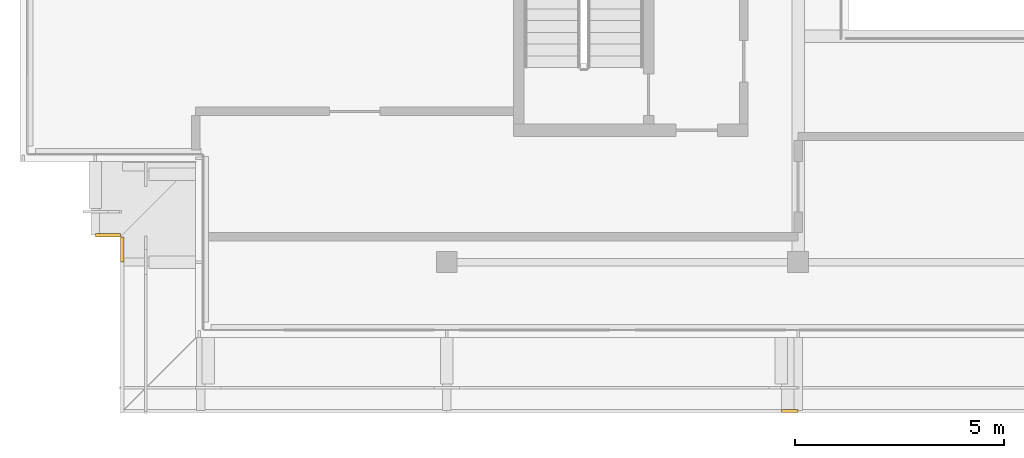
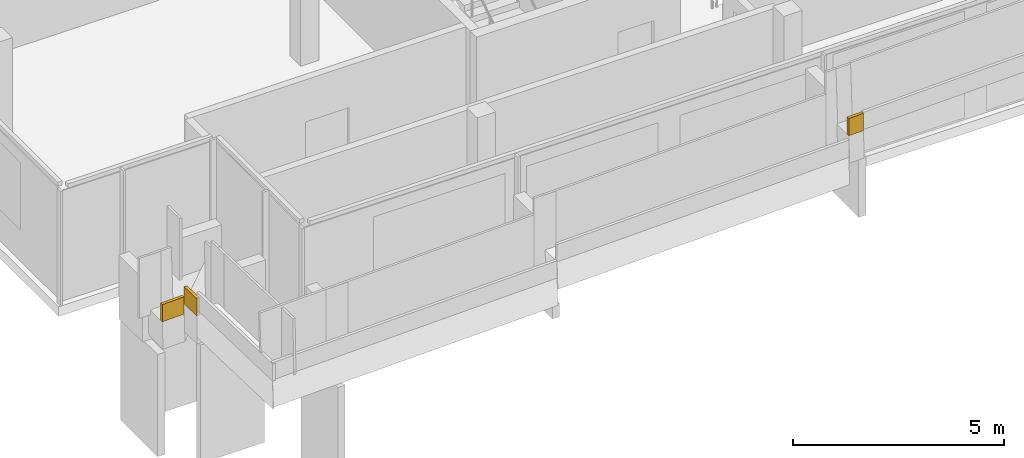
# One storey, part 21 of 22: 3 coverings.
"""IFC4 building model written with IfcOpenShell, lengths in metres."""

import ifcopenshell
import ifcopenshell.guid

model = None  # the IFC model being written
_history = None  # IfcOwnerHistory: only IFC2X3 demands one
_inside = {}  # id of a spatial element -> (the spatial element, [elements in it])
_under = {}  # id of a project, library or spatial element -> (it, [spatial elements below it])
_declared = {}  # id of a project -> (the project, [libraries it declares])
_typed = {}  # id of a type object -> (the type object, [elements of that type])
_made_of = {}  # id of a material, layer set ... -> (it, [elements and type objects made of it])


def new_model(schema):
    """Start an empty IFC model of exactly this schema.

    Asked for "IFC4X3", IfcOpenShell would pick the latest addendum, in which some entities
    have other attributes; the version numbers below select the first issue.
    IFC2X3 requires an IfcOwnerHistory on every rooted entity: one is made here for all.
    """
    global model, _history
    if schema == "IFC4X3":
        model = ifcopenshell.file(schema_version=(4, 3, 0, 0))
    else:
        model = ifcopenshell.file(schema=schema)
    _inside.clear()
    _under.clear()
    _declared.clear()
    _typed.clear()
    _made_of.clear()
    _history = None
    if model.schema == "IFC2X3":
        org = make("IfcOrganization", Name="unknown")
        user = make(
            "IfcPersonAndOrganization",
            ThePerson=make("IfcPerson", FamilyName="unknown"),
            TheOrganization=org,
        )
        app = make(
            "IfcApplication",
            ApplicationDeveloper=org,
            Version="unknown",
            ApplicationFullName="unknown",
            ApplicationIdentifier="unknown",
        )
        _history = make(
            "IfcOwnerHistory",
            OwningUser=user,
            OwningApplication=app,
            ChangeAction="ADDED",
            CreationDate=0,
        )
    return model


def make(cls, **values):
    """One entity of the class cls with the attributes given. An attribute that is None is left unset."""
    return model.create_entity(
        cls, **{name: value for name, value in values.items() if value is not None}
    )


def rooted(cls, **values):
    """An entity with a GlobalId (a new one), such as an element, a storey or a relation."""
    return make(cls, GlobalId=ifcopenshell.guid.new(), OwnerHistory=_history, **values)


def si_unit(unit_type, name, prefix=None):
    """IfcSIUnit, for example si_unit("LENGTHUNIT", "METRE", prefix="MILLI")."""
    return make("IfcSIUnit", UnitType=unit_type, Prefix=prefix, Name=name)


def assignment(units):
    """IfcUnitAssignment: the units of a project."""
    return None if units is None else make("IfcUnitAssignment", Units=units)


def point(xyz):
    """IfcCartesianPoint."""
    return None if xyz is None else make("IfcCartesianPoint", Coordinates=xyz)


def direction(xyz):
    """IfcDirection."""
    return None if xyz is None else make("IfcDirection", DirectionRatios=xyz)


def frame(location, z_axis=None, x_axis=None):
    """IfcAxis2Placement3D, a coordinate frame: its origin and axes. An axis left out is left unset."""
    return make(
        "IfcAxis2Placement3D",
        Location=point(location),
        Axis=direction(z_axis),
        RefDirection=direction(x_axis),
    )


def origin():
    """The frame at (0, 0, 0) with its axes left unset."""
    return frame((0.0, 0.0, 0.0))


def place(relative_to, where):
    """IfcLocalPlacement: puts the frame where relative to a parent placement (None: the world)."""
    return make(
        "IfcLocalPlacement", PlacementRelTo=relative_to, RelativePlacement=where
    )


def context(
    kind, dimensions, precision=None, world=None, true_north=None, identifier=None
):
    """IfcGeometricRepresentationContext, for example the 3D "Model" context."""
    return make(
        "IfcGeometricRepresentationContext",
        ContextIdentifier=identifier,
        ContextType=kind,
        CoordinateSpaceDimension=dimensions,
        Precision=precision,
        WorldCoordinateSystem=world,
        TrueNorth=true_north,
    )


def subcontext(parent, identifier, kind, view, scale=None):
    """IfcGeometricRepresentationSubContext, for example "Body" below "Model"."""
    return make(
        "IfcGeometricRepresentationSubContext",
        ContextIdentifier=identifier,
        ContextType=kind,
        ParentContext=parent,
        TargetScale=scale,
        TargetView=view,
    )


def project(units=None, contexts=None):
    """IfcProject with its units and contexts."""
    return rooted(
        "IfcProject",
        Name="project",
        RepresentationContexts=contexts,
        UnitsInContext=assignment(units),
    )


def spatial(cls, under=None, at=None, **own):
    """A site, building, storey or space (cls), placed at a placement, below another one or the project."""
    s = rooted(cls, ObjectPlacement=at, **own)
    if under is not None:
        _under.setdefault(under.id(), (under, []))[1].append(s)
    return s


def polyline(points):
    """IfcPolyline through the points."""
    return make("IfcPolyline", Points=[point(p) for p in points])


def outline(outer, holes=None, kind="AREA"):
    """IfcArbitraryClosedProfileDef: a profile drawn as a closed curve; with holes, ...WithVoids."""
    if holes is None:
        return make("IfcArbitraryClosedProfileDef", ProfileType=kind, OuterCurve=outer)
    return make(
        "IfcArbitraryProfileDefWithVoids",
        ProfileType=kind,
        OuterCurve=outer,
        InnerCurves=holes,
    )


def extrude(swept, where, along, depth):
    """IfcExtrudedAreaSolid: the profile swept, set in the frame where, extruded along a direction by depth."""
    return make(
        "IfcExtrudedAreaSolid",
        SweptArea=swept,
        Position=where,
        ExtrudedDirection=direction(along),
        Depth=depth,
    )


def shape(context_of_items, identifier, shape_type, items):
    """IfcShapeRepresentation: the items that make up one representation, for example the "Body"."""
    return make(
        "IfcShapeRepresentation",
        ContextOfItems=context_of_items,
        RepresentationIdentifier=identifier,
        RepresentationType=shape_type,
        Items=items,
    )


def material(Name=None, Category=None):
    """IfcMaterial."""
    return make("IfcMaterial", Name=Name, Category=Category)


def layer(
    of_material, thickness, ventilated=None, Name=None, Category=None, Priority=None
):
    """IfcMaterialLayer: one layer of a wall or slab, of a material (None: an air gap)."""
    return make(
        "IfcMaterialLayer",
        Material=of_material,
        LayerThickness=thickness,
        IsVentilated=ventilated,
        Name=Name,
        Category=Category,
        Priority=Priority,
    )


def layer_set(layers, Name=None):
    """IfcMaterialLayerSet."""
    return make("IfcMaterialLayerSet", MaterialLayers=layers, LayerSetName=Name)


def made_of(thing, what):
    """Note that an element or type object is made of a material, layer set ...; save() writes the relation."""
    if what is not None:
        _made_of.setdefault(what.id(), (what, []))[1].append(thing)
    return thing


def type_object(cls, material=None, **own):
    """A type object (cls), such as IfcWallType, which elements share."""
    return made_of(rooted(cls, **own), material)


def element(
    cls,
    number,
    at=None,
    inside=None,
    cuts=None,
    type_object=None,
    material=None,
    context=None,
    identifier="Body",
    shape_type=None,
    held_by="IfcProductDefinitionShape",
    body=None,
    shapes=None,
    **own,
):
    """One element of the class cls, such as IfcWall. Its Tag is "e" and its number.

    at: its placement. inside: the storey or other place that contains it. cuts: it is an
    opening in that element (IfcRelVoidsElement). A single representation is given by context,
    identifier, shape_type and body (its items); several are given by shapes. held_by: the class
    of the entity that holds the representations. save() writes the other relations.
    """
    e = rooted(cls, Tag="e%d" % number, ObjectPlacement=at, **own)
    if body is not None:
        shapes = [shape(context, identifier, shape_type, body)]
    if shapes is not None:
        e.Representation = make(held_by, Representations=shapes)
    if inside is not None:
        _inside.setdefault(inside.id(), (inside, []))[1].append(e)
    if cuts is not None:
        rooted(
            "IfcRelVoidsElement", RelatingBuildingElement=cuts, RelatedOpeningElement=e
        )
    if type_object is not None:
        _typed.setdefault(type_object.id(), (type_object, []))[1].append(e)
    return made_of(e, material)


def aggregate(whole, parts):
    """IfcRelAggregates: a whole, such as a stair, and the parts it consists of."""
    return rooted("IfcRelAggregates", RelatingObject=whole, RelatedObjects=parts)


def save(model, path):
    """Write the relations noted so far, then the file.

    IfcRelAggregates (storeys below a building ...), IfcRelContainedInSpatialStructure (elements
    in a storey), IfcRelDefinesByType, IfcRelAssociatesMaterial and IfcRelDeclares: one each for
    every whole, place, type object, material and project.
    """
    for whole, parts in _under.values():
        aggregate(whole, parts)
    for where, things in _inside.values():
        rooted(
            "IfcRelContainedInSpatialStructure",
            RelatedElements=things,
            RelatingStructure=where,
        )
    for kind, things in _typed.values():
        rooted("IfcRelDefinesByType", RelatedObjects=things, RelatingType=kind)
    for what, things in _made_of.values():
        rooted("IfcRelAssociatesMaterial", RelatedObjects=things, RelatingMaterial=what)
    for by, libraries in _declared.values():
        rooted("IfcRelDeclares", RelatingContext=by, RelatedDefinitions=libraries)
    model.write(path)


model = new_model("IFC4")

# Units and contexts
model_context = context("Model", 3, precision=1e-05, world=origin(), true_north=direction((0.0, 1.0)))
body_context = subcontext(model_context, "Body", "Model", "MODEL_VIEW")
ifc_project = project(units=[si_unit("LENGTHUNIT", "METRE"), si_unit("AREAUNIT", "SQUARE_METRE"), si_unit("VOLUMEUNIT", "CUBIC_METRE"), si_unit("PLANEANGLEUNIT", "RADIAN"), si_unit("MASSUNIT", "GRAM", prefix="KILO")], contexts=[model_context])

# Site, building, storey
site_placement = place(None, origin())
site = spatial("IfcSite", under=ifc_project, at=site_placement, CompositionType="ELEMENT")
building_placement = place(site_placement, origin())
building = spatial("IfcBuilding", under=site, at=building_placement, Name="Saffron Gate Tower", CompositionType="ELEMENT")
storey_placement = place(building_placement, frame((0.0, 0.0, 295.949951171875)))
storey = spatial("IfcBuildingStorey", under=building, at=storey_placement, Name="L72", CompositionType="ELEMENT", Elevation=295.949951171875)

# Coverings
ifc_material = material(Name="Timber, thermally modified ash", Category="wood")
ifc_layer = layer(ifc_material, 0.080078125)
ifc_layer_set = layer_set([ifc_layer], Name="LD2 ledge planter trough")
covering_type = type_object("IfcCoveringType", Name="LD2 ledge planter trough", PredefinedType="CLADDING", material=ifc_layer_set)
for number, where, z_axis, x_axis, name in (
    (1, (58.199951171875, 40.800048828125, 0.024658203125), (0.0, -1.0, 0.0), (0.999583081391, 0.0, 0.028873229772), "LEDGE planter trough"),
    (2, (58.800048828125, 40.800048828125, 0.332763671875), (-1.0, 0.0, 0.0), (0.0, -0.999583081391, 0.028873229772), "LEDGE planter trough"),
):
    element("IfcCovering", number, at=place(storey_placement, frame(where, z_axis=z_axis, x_axis=x_axis)), inside=storey, type_object=covering_type, Name=name, PredefinedType="CLADDING", context=body_context, shape_type="SweptSolid", body=[
        extrude(outline(polyline([(0.0, 0.0), (0.6003479524834376, -3.469446951953614e-18), (0.6147845673692678, 0.4997915406953566), (0.014436614885830073, 0.4997915406953566), (0.0, 0.0)])), origin(), (0.0, 0.0, -1.0), 0.080078125),
    ])
covering_placement = place(storey_placement, frame((74.60009765625, 36.60009765625, 2.22314453125), z_axis=(0.0, -1.0, 0.0), x_axis=(0.999588594726, 0.0, 0.028681724025)))
element("IfcCovering", 3, at=covering_placement, inside=storey, type_object=covering_type, Name="LEDGE planter trough", PredefinedType="CLADDING", context=body_context, shape_type="SweptSolid", body=[
    extrude(outline(polyline([(0.0, 0.0), (0.40006693339621563, 0.0), (0.4144077954084678, 0.4997942973631708), (0.014340862012252152, 0.49979429736317077), (0.0, 0.0)])), origin(), (0.0, 0.0, -1.0), 0.080078125),
])

save(model, "model.ifc")
